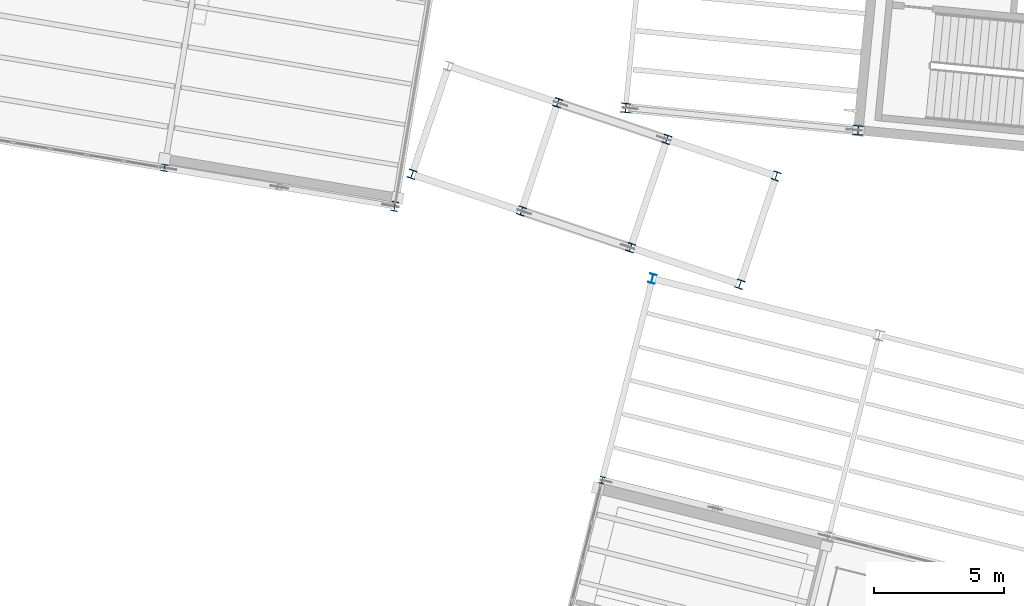
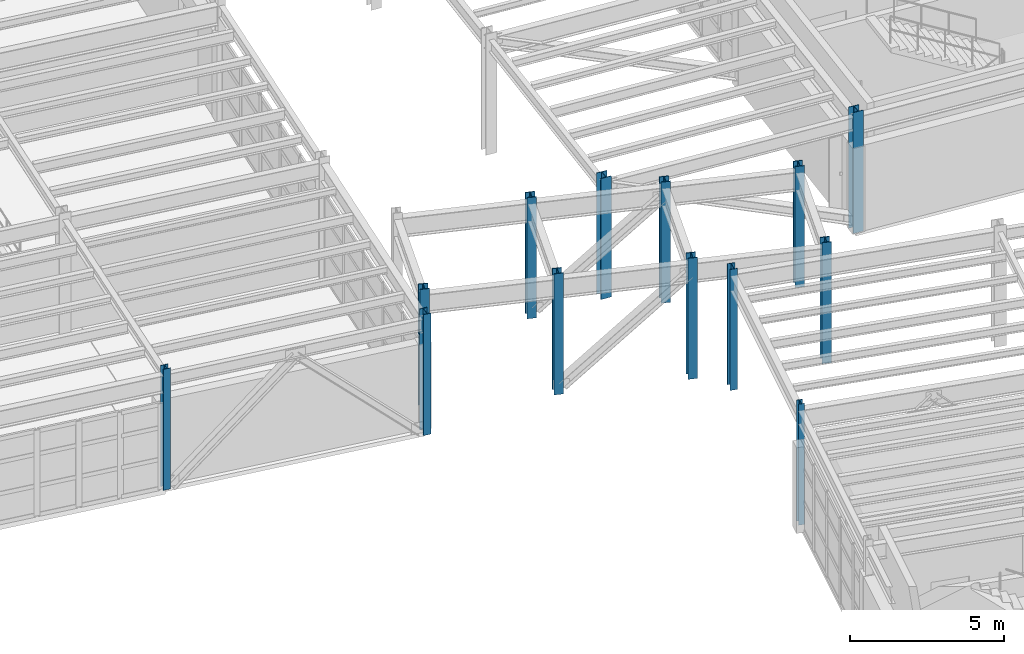
# One storey, part 6 of 109: 13 columns.
"""IFC4 building model written with IfcOpenShell, lengths in metres."""

from ifc_helpers import new_model, si_unit, direction, frame, origin, origin_2d, place, context, subcontext, project, spatial, i_section, extrude, material, material_profile, profile_set, type_object, element, save


model = new_model("IFC4")

# Units and contexts
model_context = context("Model", 3, precision=1e-05, world=origin(), true_north=direction((0.0, 1.0)))
body_context = subcontext(model_context, "Body", "Model", "MODEL_VIEW")
ifc_project = project(units=[si_unit("LENGTHUNIT", "METRE"), si_unit("AREAUNIT", "SQUARE_METRE"), si_unit("VOLUMEUNIT", "CUBIC_METRE"), si_unit("PLANEANGLEUNIT", "RADIAN"), si_unit("MASSUNIT", "GRAM", prefix="KILO")], contexts=[model_context])

# Site, building, storey
site_placement = place(None, origin())
site = spatial("IfcSite", under=ifc_project, at=site_placement, CompositionType="ELEMENT")
building_placement = place(site_placement, origin())
building = spatial("IfcBuilding", under=site, at=building_placement, Name="Vireo Bluff Cable Station", CompositionType="ELEMENT")
storey_placement = place(building_placement, frame((0.0, 0.0, 4.800048828125)))
storey = spatial("IfcBuildingStorey", under=building, at=storey_placement, Name="L01", CompositionType="ELEMENT", Elevation=4.800048828125)

# Columns
ifc_material = material(Name="Steel ASTM A992 Gr. 50", Category="steel")
ifc_material_profile_1 = material_profile(ifc_material, i_section(OverallWidth=0.31298828125, OverallDepth=0.3330078125, WebThickness=0.01806640625, FlangeThickness=0.028076171875, FilletRadius=0.012939453125, at=origin_2d()), Name="W12X120")
ifc_profile_set_1 = profile_set([ifc_material_profile_1], Name="Steel ASTM A992 Gr. 50")
column_type_1 = type_object("IfcColumnType", Name="ECOL-W12X120", PredefinedType="COLUMN", material=ifc_profile_set_1)
for number, where, z_axis, x_axis, name in (
    (1, (50.550048828125, 65.306884765625, 0.0), (0.0, 0.0, 1.0), (0.948104710889, -0.317958263284, 0.0), "CABIN-TRANSFER skybridge column 1L L01"),
    (2, (54.759521484375, 63.895263671875, 0.0), (0.0, 0.0, 1.0), (0.948104710889, -0.317958263284, 0.0), "CABIN-TRANSFER skybridge column 2L L01"),
    (3, (56.15869140625, 68.06689453125, 0.0), (0.0, 0.0, 1.0), (0.948104710889, -0.317958263284, 0.0), "CABIN-TRANSFER skybridge column 2R L01"),
    (4, (58.970458984375, 62.483154296875, 0.0), (0.0, 0.0, 1.0), (0.948104710889, -0.317958263284, 0.0), "CABIN-TRANSFER skybridge column 3L L01"),
    (5, (60.369384765625, 66.65478515625, 0.0), (0.0, 0.0, 1.0), (0.948104710889, -0.317958263284, 0.0), "CABIN-TRANSFER skybridge column 3R L01"),
    (6, (63.179931640625, 61.0712890625, 0.0), (0.0, 0.0, 1.0), (0.948104710889, -0.317958263284, 0.0), "CABIN-TRANSFER skybridge column 4L L01"),
    (7, (64.5791015625, 65.242919921875, 0.0), (0.0, 0.0, 1.0), (0.948104710889, -0.317958263284, 0.0), "CABIN-TRANSFER skybridge column 4R L01"),
):
    element("IfcColumn", number, at=place(storey_placement, frame(where, z_axis=z_axis, x_axis=x_axis)), inside=storey, type_object=column_type_1, Name=name, PredefinedType="COLUMN", context=body_context, shape_type="SweptSolid", body=[
        extrude(i_section(OverallWidth=0.31298828125, OverallDepth=0.3330078125, WebThickness=0.01806640625, FlangeThickness=0.028076171875, FilletRadius=0.012939453125, at=origin_2d()), origin(), (0.0, 0.0, 1.0), 4.800048828125),
    ])
ifc_material_profile_2 = material_profile(ifc_material, i_section(OverallWidth=0.257080078125, OverallDepth=0.363037109375, WebThickness=0.012939453125, FlangeThickness=0.021728515625, FilletRadius=0.014892578125, at=origin_2d()), Name="W14X82")
ifc_profile_set_2 = profile_set([ifc_material_profile_2], Name="Steel ASTM A992 Gr. 50")
column_type_2 = type_object("IfcColumnType", Name="ECOL-W14X82", PredefinedType="COLUMN", material=ifc_profile_set_2)
column_1_placement = place(storey_placement, frame((49.8828125, 64.07275390625, 0.0), z_axis=(0.0, 0.0, 1.0), x_axis=(0.986285601537, -0.165047605861, 0.0)))
element("IfcColumn", 8, at=column_1_placement, inside=storey, type_object=column_type_2, Name="V4 L01 column 319", PredefinedType="COLUMN", context=body_context, shape_type="SweptSolid", body=[
    extrude(i_section(OverallWidth=0.257080078125, OverallDepth=0.363037109375, WebThickness=0.012939453125, FlangeThickness=0.021728515625, FilletRadius=0.014892578125, at=origin_2d()), origin(), (0.0, 0.0, 1.0), 4.800048828125),
])
ifc_material_profile_3 = material_profile(ifc_material, i_section(OverallWidth=0.3701171875, OverallDepth=0.360107421875, WebThickness=0.01220703125, FlangeThickness=0.019775390625, FilletRadius=0.014892578125, at=origin_2d()), Name="W14X99")
ifc_profile_set_3 = profile_set([ifc_material_profile_3], Name="Steel ASTM A992 Gr. 50")
column_type_3 = type_object("IfcColumnType", Name="ECOL-W14X99", PredefinedType="COLUMN", material=ifc_profile_set_3)
for number, where, z_axis, x_axis, name in (
    (9, (58.779541015625, 67.866455078125, 0.0), (0.0, 0.0, 1.0), (0.995396198367, -0.09584575252, 0.0), "V3 L01 column 196"),
    (10, (67.738037109375, 67.00390625, 0.0), (0.0, 0.0, 1.0), (0.995396198367, -0.09584575252, 0.0), "V3 L01 column 202"),
):
    element("IfcColumn", number, at=place(storey_placement, frame(where, z_axis=z_axis, x_axis=x_axis)), inside=storey, type_object=column_type_3, Name=name, PredefinedType="COLUMN", context=body_context, shape_type="SweptSolid", body=[
        extrude(i_section(OverallWidth=0.3701171875, OverallDepth=0.360107421875, WebThickness=0.01220703125, FlangeThickness=0.019775390625, FilletRadius=0.014892578125, at=origin_2d()), origin(), (0.0, 0.0, 1.0), 4.800048828125),
    ])
ifc_material_profile_4 = material_profile(ifc_material, i_section(OverallWidth=0.2041015625, OverallDepth=0.257080078125, WebThickness=0.0087890625, FlangeThickness=0.015625, FilletRadius=0.009033203125, at=origin_2d()), Name="W10X45")
ifc_profile_set_4 = profile_set([ifc_material_profile_4], Name="Steel ASTM A992 Gr. 50")
column_type_4 = type_object("IfcColumnType", Name="PIL-W10X45", PredefinedType="PILASTER", material=ifc_profile_set_4)
column_2_placement = place(storey_placement, frame((57.870849609375, 53.524658203125, 0.0), z_axis=(0.0, 0.0, 1.0), x_axis=(0.970295726276, -0.2419218956, 0.0)))
element("IfcColumn", 11, at=column_2_placement, inside=storey, type_object=column_type_4, Name="V1 L01 column 12", PredefinedType="PILASTER", context=body_context, shape_type="SweptSolid", body=[
    extrude(i_section(OverallWidth=0.2041015625, OverallDepth=0.257080078125, WebThickness=0.0087890625, FlangeThickness=0.015625, FilletRadius=0.009033203125, at=origin_2d()), origin(), (0.0, 0.0, 1.0), 4.800048828125),
])
ifc_material_profile_5 = material_profile(ifc_material, i_section(OverallWidth=0.2548828125, OverallDepth=0.256103515625, WebThickness=0.009521484375, FlangeThickness=0.015625, FilletRadius=0.009033203125, at=origin_2d()), Name="W10X54")
ifc_profile_set_5 = profile_set([ifc_material_profile_5], Name="Steel ASTM A992 Gr. 50")
column_type_5 = type_object("IfcColumnType", Name="PIL-W10X54", PredefinedType="PILASTER", material=ifc_profile_set_5)
column_3_placement = place(storey_placement, frame((41.00634765625, 65.558349609375, 0.0), z_axis=(0.0, 0.0, 1.0), x_axis=(0.986285601537, -0.165047605861, 0.0)))
element("IfcColumn", 12, at=column_3_placement, inside=storey, type_object=column_type_5, Name="V4 L01 column 307", PredefinedType="PILASTER", context=body_context, shape_type="SweptSolid", body=[
    extrude(i_section(OverallWidth=0.2548828125, OverallDepth=0.256103515625, WebThickness=0.009521484375, FlangeThickness=0.015625, FilletRadius=0.009033203125, at=origin_2d()), origin(), (0.0, 0.0, 1.0), 4.800048828125),
])
ifc_material_profile_6 = material_profile(ifc_material, i_section(OverallWidth=0.25390625, OverallDepth=0.35302734375, WebThickness=0.009521484375, FlangeThickness=0.016357421875, FilletRadius=0.011962890625, at=origin_2d()), Name="W14X61")
ifc_profile_set_6 = profile_set([ifc_material_profile_6], Name="Steel ASTM A992 Gr. 50")
column_type_6 = type_object("IfcColumnType", Name="PIL-W14X61", PredefinedType="PILASTER", material=ifc_profile_set_6)
column_4_placement = place(storey_placement, frame((59.80615234375, 61.287109375, 0.0), z_axis=(0.0, 0.0, 1.0), x_axis=(0.970295726276, -0.2419218956, 0.0)))
element("IfcColumn", 13, at=column_4_placement, inside=storey, type_object=column_type_6, Name="V1 L01 column 17", PredefinedType="PILASTER", context=body_context, shape_type="SweptSolid", body=[
    extrude(i_section(OverallWidth=0.25390625, OverallDepth=0.35302734375, WebThickness=0.009521484375, FlangeThickness=0.016357421875, FilletRadius=0.011962890625, at=origin_2d()), origin(), (0.0, 0.0, 1.0), 4.800048828125),
])

save(model, "model.ifc")
